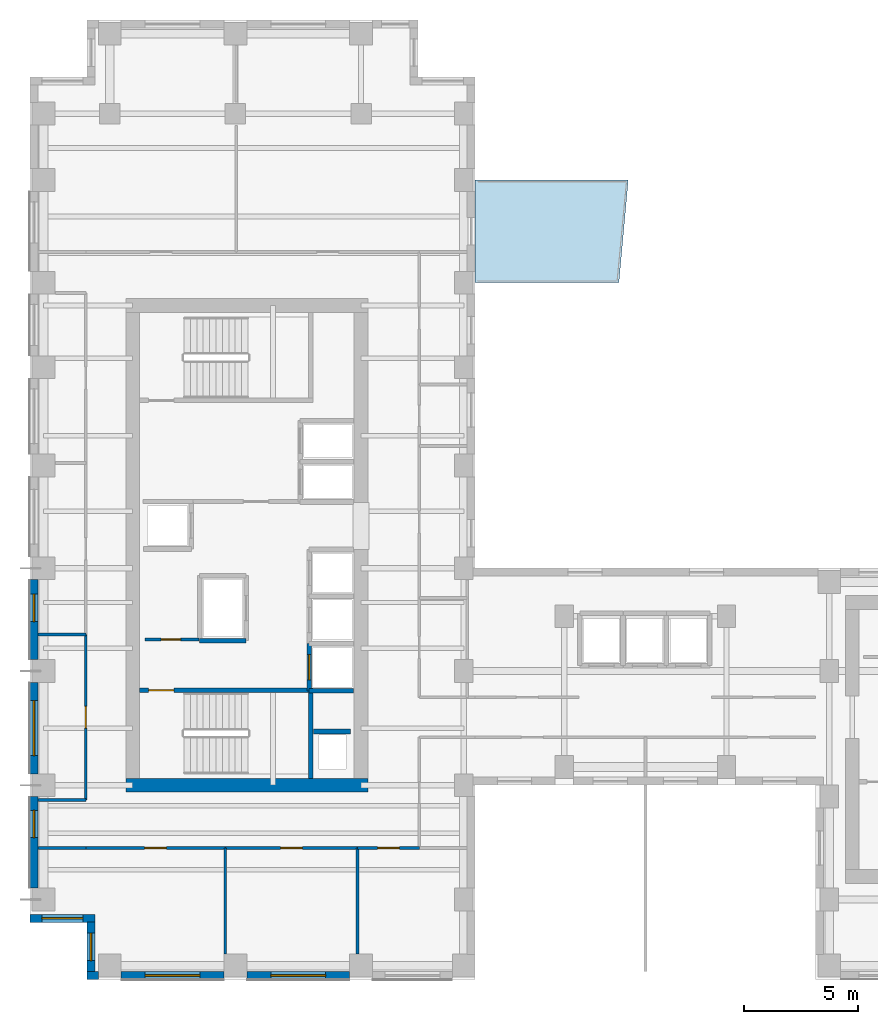
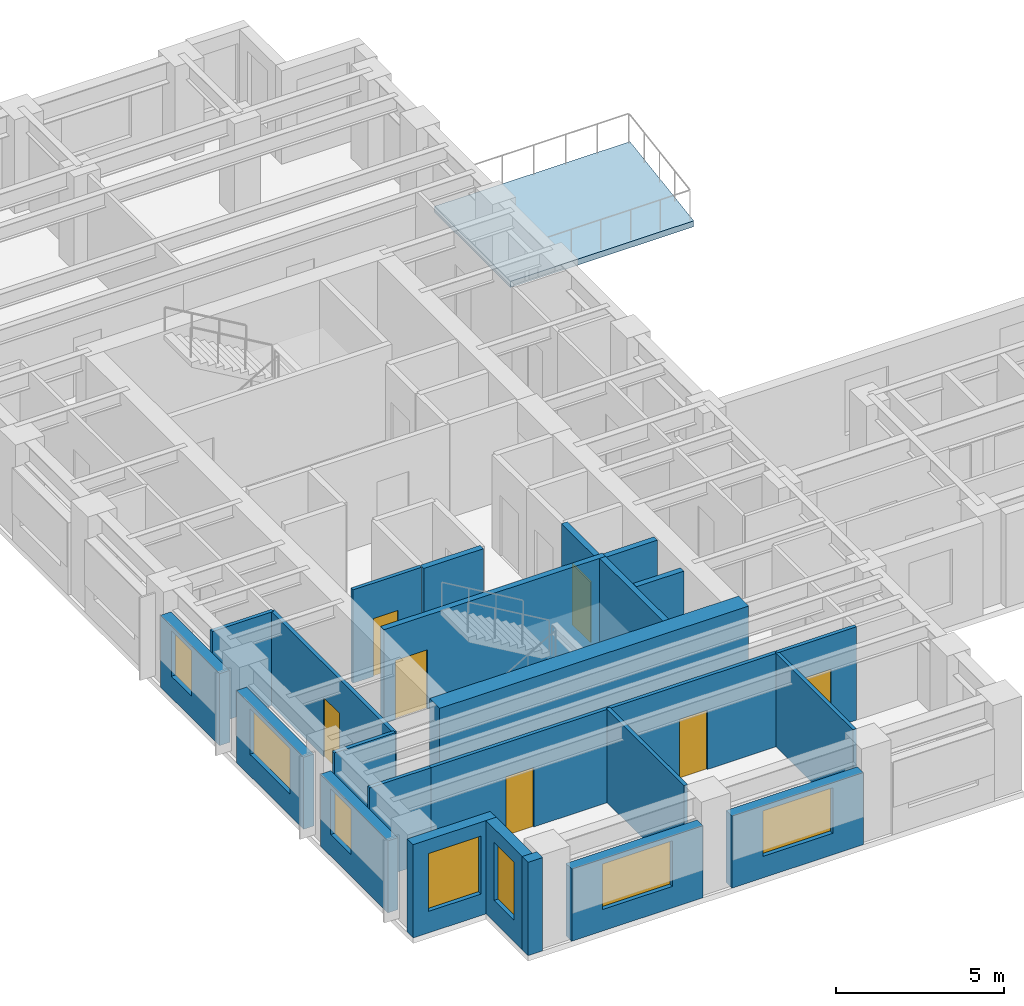
# One storey, part 3 of 10: 25 walls, 7 doors, 7 windows, 1 slab, 14 openings.
"""IFC4 building model written with IfcOpenShell, lengths in metres."""

from ifc_helpers import new_model, si_unit, direction, frame, frame_2d, origin, place, context, subcontext, project, spatial, polyline, rectangle, outline, extrude, source, transform, mapped, material, layer, layer_set, type_object, element, fill, save


model = new_model("IFC4")

# Units and contexts
model_context = context("Model", 3, precision=1e-05, world=origin(), true_north=direction((0.0, 1.0)))
body_context = subcontext(model_context, "Body", "Model", "MODEL_VIEW")
ifc_project = project(units=[si_unit("LENGTHUNIT", "METRE"), si_unit("AREAUNIT", "SQUARE_METRE"), si_unit("VOLUMEUNIT", "CUBIC_METRE"), si_unit("PLANEANGLEUNIT", "RADIAN"), si_unit("MASSUNIT", "GRAM", prefix="KILO")], contexts=[model_context])

# Site, building, storey
site_placement = place(None, origin())
site = spatial("IfcSite", under=ifc_project, at=site_placement, CompositionType="ELEMENT")
building_placement = place(site_placement, origin())
building = spatial("IfcBuilding", under=site, at=building_placement, Name="Kharzan Plaza Tower", CompositionType="ELEMENT")
storey_placement = place(building_placement, frame((0.0, 0.0, 157.5)))
storey = spatial("IfcBuildingStorey", under=building, at=storey_placement, Name="L42", CompositionType="ELEMENT", Elevation=157.5)

# Slab
ifc_material_1 = material(Name="Concrete C40/50", Category="concrete")
ifc_layer_1 = layer(ifc_material_1, 0.215087890625)
ifc_layer_set_1 = layer_set([ifc_layer_1], Name="Concrete C40/50")
slab_type = type_object("IfcSlabType", Name="SL-TRAY-215", PredefinedType="ROOF", material=ifc_layer_set_1)
slab_placement = place(storey_placement, frame((0.0, 0.0, -0.215087890625)))
element("IfcSlab", 1, at=slab_placement, inside=storey, type_object=slab_type, Name="L42 Sky Terrace Tray Slab", PredefinedType="ROOF", context=body_context, shape_type="SweptSolid", body=[
    extrude(outline(polyline([(19.5, 30.5), (25.7900390625, 30.5), (26.199951171875, 35.0), (19.5, 35.0), (19.5, 30.5)])), origin(), (0.0, 0.0, 1.0), 0.215087890625),
])

# Wall, opening, window
ifc_layer_2 = layer(ifc_material_1, 0.35009765625)
ifc_layer_set_2 = layer_set([ifc_layer_2], Name="Concrete C40/50")
wall_type_1 = type_object("IfcWallType", Name="WL-EXT-MAS-Z3", PredefinedType="SOLIDWALL", material=ifc_layer_set_2)
wall_1_placement = place(storey_placement, frame((0.175048828125, 17.501953125, 0.0), z_axis=(0.0, 0.0, 1.0), x_axis=(0.0, -1.0, 0.0)))
wall_1 = element("IfcWall", 2, at=wall_1_placement, inside=storey, type_object=wall_type_1, Name="L42 Masonry-Frame Exterior Wall 15", PredefinedType="SOLIDWALL", context=body_context, shape_type="SweptSolid", body=[
    extrude(rectangle(XDim=3.50390625, YDim=0.35009765625, at=frame_2d((1.751953125, 0.0))), origin(), (0.0, 0.0, 1.0), 2.612060546875),
])
opening_1_placement = place(wall_1_placement, frame((0.635986328125, 0.0, 0.780029296875)))
opening_1 = element("IfcOpeningElement", 3, at=opening_1_placement, cuts=wall_1, Name="Opening W3", PredefinedType="OPENING", context=body_context, shape_type="SweptSolid", body=[
    extrude(rectangle(XDim=1.199951171875, YDim=1.652099609375, at=frame_2d((0.60009765625, 0.826171875))), frame((0.0, 0.18505859375, 0.0), z_axis=(0.0, -1.0, 0.0), x_axis=(1.0, 0.0, 0.0)), (0.0, 0.0, 1.0), 0.3701171875),
])
ifc_material_2 = material(Name="Low-E Double Glazing", Category="glass")
window_type_1 = type_object("IfcWindowType", Name="WN-REC-1200x2100", PartitioningType="SINGLE_PANEL", PredefinedType="WINDOW", material=ifc_material_2)
shared_shape_1 = source(origin(), body_context, "Body", "SweptSolid", [
    extrude(rectangle(XDim=1.199951171875, YDim=1.652099609375, at=frame_2d((0.60009765625, 0.826171875))), frame((0.0, 0.030029296875, 0.0), z_axis=(0.0, -1.0, 0.0), x_axis=(1.0, 0.0, 0.0)), (0.0, 0.0, 1.0), 0.06005859375),
])
window_1_placement = place(opening_1_placement, origin())
window_1 = element("IfcWindow", 4, at=window_1_placement, inside=storey, type_object=window_type_1, Name="L42 Recessed Solar-Control Window 15-1", OverallHeight=1.652099609375, OverallWidth=1.199951171875, PartitioningType="SINGLE_PANEL", PredefinedType="WINDOW", context=body_context, shape_type="MappedRepresentation", body=[
    mapped(shared_shape_1, transform((0.0, 0.0, 0.0), x_axis=(1.0, 0.0, 0.0), y_axis=(0.0, 1.0, 0.0), z_axis=(0.0, 0.0, 1.0))),
])
fill(opening_1, window_1)

wall_2_placement = place(storey_placement, frame((0.175048828125, 13.001953125, 0.0), z_axis=(0.0, 0.0, 1.0), x_axis=(0.0, -1.0, 0.0)))
wall_2 = element("IfcWall", 5, at=wall_2_placement, inside=storey, type_object=wall_type_1, Name="L42 Masonry-Frame Exterior Wall 16", PredefinedType="SOLIDWALL", context=body_context, shape_type="SweptSolid", body=[
    extrude(rectangle(XDim=4.00390625, YDim=0.35009765625, at=frame_2d((2.001953125, 0.0))), origin(), (0.0, 0.0, 1.0), 2.612060546875),
])
opening_2_placement = place(wall_2_placement, frame((0.802001953125, 0.0, 0.780029296875)))
opening_2 = element("IfcOpeningElement", 6, at=opening_2_placement, cuts=wall_2, Name="Opening W2", PredefinedType="OPENING", context=body_context, shape_type="SweptSolid", body=[
    extrude(rectangle(XDim=2.39990234375, YDim=1.652099609375, at=frame_2d((1.199951171875, 0.826171875))), frame((0.0, 0.18505859375, 0.0), z_axis=(0.0, -1.0, 0.0), x_axis=(1.0, 0.0, 0.0)), (0.0, 0.0, 1.0), 0.3701171875),
])
window_type_2 = type_object("IfcWindowType", Name="WN-REC-2400x2100", PartitioningType="SINGLE_PANEL", PredefinedType="WINDOW", material=ifc_material_2)
shared_shape_2 = source(origin(), body_context, "Body", "SweptSolid", [
    extrude(rectangle(XDim=2.39990234375, YDim=1.652099609375, at=frame_2d((1.199951171875, 0.826171875))), frame((0.0, 0.030029296875, 0.0), z_axis=(0.0, -1.0, 0.0), x_axis=(1.0, 0.0, 0.0)), (0.0, 0.0, 1.0), 0.06005859375),
])
window_2_placement = place(opening_2_placement, origin())
window_2 = element("IfcWindow", 7, at=window_2_placement, inside=storey, type_object=window_type_2, Name="L42 Wide Recessed Solar-Control Window 16-1", OverallHeight=1.652099609375, OverallWidth=2.39990234375, PartitioningType="SINGLE_PANEL", PredefinedType="WINDOW", context=body_context, shape_type="MappedRepresentation", body=[
    mapped(shared_shape_2, transform((0.0, 0.0, 0.0), x_axis=(1.0, 0.0, 0.0), y_axis=(0.0, 1.0, 0.0), z_axis=(0.0, 0.0, 1.0))),
])
fill(opening_2, window_2)

wall_3_placement = place(storey_placement, frame((0.175048828125, 8.001953125, 0.0), z_axis=(0.0, 0.0, 1.0), x_axis=(0.0, -1.0, 0.0)))
wall_3 = element("IfcWall", 8, at=wall_3_placement, inside=storey, type_object=wall_type_1, Name="L42 Masonry-Frame Exterior Wall 17", PredefinedType="SOLIDWALL", context=body_context, shape_type="SweptSolid", body=[
    extrude(rectangle(XDim=4.00390625, YDim=0.35009765625, at=frame_2d((2.001953125, 0.0))), origin(), (0.0, 0.0, 1.0), 2.612060546875),
])
opening_3_placement = place(wall_3_placement, frame((0.60205078125, 0.0, 0.780029296875)))
opening_3 = element("IfcOpeningElement", 9, at=opening_3_placement, cuts=wall_3, Name="Opening W3", PredefinedType="OPENING", context=body_context, shape_type="SweptSolid", body=[
    extrude(rectangle(XDim=1.199951171875, YDim=1.652099609375, at=frame_2d((0.60009765625, 0.826171875))), frame((0.0, 0.18505859375, 0.0), z_axis=(0.0, -1.0, 0.0), x_axis=(1.0, 0.0, 0.0)), (0.0, 0.0, 1.0), 0.3701171875),
])
window_3_placement = place(opening_3_placement, origin())
window_3 = element("IfcWindow", 10, at=window_3_placement, inside=storey, type_object=window_type_1, Name="L42 Recessed Solar-Control Window 17-1", OverallHeight=1.652099609375, OverallWidth=1.199951171875, PartitioningType="SINGLE_PANEL", PredefinedType="WINDOW", context=body_context, shape_type="MappedRepresentation", body=[
    mapped(shared_shape_1, transform((0.0, 0.0, 0.0), x_axis=(1.0, 0.0, 0.0), y_axis=(0.0, 1.0, 0.0), z_axis=(0.0, 0.0, 1.0))),
])
fill(opening_3, window_3)

wall_4_placement = place(storey_placement, frame((0.0, 2.675048828125, 0.0), z_axis=(0.0, 0.0, 1.0), x_axis=(1.0, 0.0, 0.0)))
wall_4 = element("IfcWall", 11, at=wall_4_placement, inside=storey, type_object=wall_type_1, Name="L42 Masonry-Frame Exterior Wall 18", PredefinedType="SOLIDWALL", context=body_context, shape_type="SweptSolid", body=[
    extrude(rectangle(XDim=2.85009765625, YDim=0.35009765625, at=frame_2d((1.425048828125, 0.0))), origin(), (0.0, 0.0, 1.0), 3.385009765625),
])
opening_4_placement = place(wall_4_placement, frame((0.52490234375, 0.0, 0.780029296875)))
opening_4 = element("IfcOpeningElement", 12, at=opening_4_placement, cuts=wall_4, Name="Opening W1", PredefinedType="OPENING", context=body_context, shape_type="SweptSolid", body=[
    extrude(rectangle(XDim=1.800048828125, YDim=2.10009765625, at=frame_2d((0.89990234375, 1.050048828125))), frame((0.0, 0.18505859375, 0.0), z_axis=(0.0, -1.0, 0.0), x_axis=(1.0, 0.0, 0.0)), (0.0, 0.0, 1.0), 0.3701171875),
])
window_type_3 = type_object("IfcWindowType", Name="WN-REC-1800x2100", PartitioningType="SINGLE_PANEL", PredefinedType="WINDOW", material=ifc_material_2)
shared_shape_3 = source(origin(), body_context, "Body", "SweptSolid", [
    extrude(rectangle(XDim=1.800048828125, YDim=2.10009765625, at=frame_2d((0.89990234375, 1.050048828125))), frame((0.0, 0.030029296875, 0.0), z_axis=(0.0, -1.0, 0.0), x_axis=(1.0, 0.0, 0.0)), (0.0, 0.0, 1.0), 0.06005859375),
])
window_4_placement = place(opening_4_placement, origin())
window_4 = element("IfcWindow", 13, at=window_4_placement, inside=storey, type_object=window_type_3, Name="L42 Recessed Solar-Control Window 18-1", OverallHeight=2.10009765625, OverallWidth=1.800048828125, PartitioningType="SINGLE_PANEL", PredefinedType="WINDOW", context=body_context, shape_type="MappedRepresentation", body=[
    mapped(shared_shape_3, transform((0.0, 0.0, 0.0), x_axis=(1.0, 0.0, 0.0), y_axis=(0.0, 1.0, 0.0), z_axis=(0.0, 0.0, 1.0))),
])
fill(opening_4, window_4)

wall_5_placement = place(storey_placement, frame((2.675048828125, 2.501953125, 0.0), z_axis=(0.0, 0.0, 1.0), x_axis=(0.0, -1.0, 0.0)))
wall_5 = element("IfcWall", 14, at=wall_5_placement, inside=storey, type_object=wall_type_1, Name="L42 Masonry-Frame Exterior Wall 19", PredefinedType="SOLIDWALL", context=body_context, shape_type="SweptSolid", body=[
    extrude(rectangle(XDim=2.154052734375, YDim=0.35009765625, at=frame_2d((1.0771484375, 0.0))), origin(), (0.0, 0.0, 1.0), 3.385009765625),
])
opening_5_placement = place(wall_5_placement, frame((0.47705078125, 0.0, 0.780029296875)))
opening_5 = element("IfcOpeningElement", 15, at=opening_5_placement, cuts=wall_5, Name="Opening W3", PredefinedType="OPENING", context=body_context, shape_type="SweptSolid", body=[
    extrude(rectangle(XDim=1.199951171875, YDim=2.10009765625, at=frame_2d((0.60009765625, 1.050048828125))), frame((0.0, 0.18505859375, 0.0), z_axis=(0.0, -1.0, 0.0), x_axis=(1.0, 0.0, 0.0)), (0.0, 0.0, 1.0), 0.3701171875),
])
shared_shape_4 = source(origin(), body_context, "Body", "SweptSolid", [
    extrude(rectangle(XDim=1.199951171875, YDim=2.10009765625, at=frame_2d((0.60009765625, 1.050048828125))), frame((0.0, 0.030029296875, 0.0), z_axis=(0.0, -1.0, 0.0), x_axis=(1.0, 0.0, 0.0)), (0.0, 0.0, 1.0), 0.06005859375),
])
window_5_placement = place(opening_5_placement, origin())
window_5 = element("IfcWindow", 16, at=window_5_placement, inside=storey, type_object=window_type_1, Name="L42 Recessed Solar-Control Window 19-1", OverallHeight=2.10009765625, OverallWidth=1.199951171875, PartitioningType="SINGLE_PANEL", PredefinedType="WINDOW", context=body_context, shape_type="MappedRepresentation", body=[
    mapped(shared_shape_4, transform((0.0, 0.0, 0.0), x_axis=(1.0, 0.0, 0.0), y_axis=(0.0, 1.0, 0.0), z_axis=(0.0, 0.0, 1.0))),
])
fill(opening_5, window_5)

wall_6_placement = place(storey_placement, frame((3.998046875, 0.175048828125, 0.0), z_axis=(0.0, 0.0, 1.0), x_axis=(1.0, 0.0, 0.0)))
wall_6 = element("IfcWall", 17, at=wall_6_placement, inside=storey, type_object=wall_type_1, Name="L42 Masonry-Frame Exterior Wall 21", PredefinedType="SOLIDWALL", context=body_context, shape_type="SweptSolid", body=[
    extrude(rectangle(XDim=4.50390625, YDim=0.35009765625, at=frame_2d((2.251953125, 0.0))), origin(), (0.0, 0.0, 1.0), 2.612060546875),
])
opening_6_placement = place(wall_6_placement, frame((1.052001953125, 0.0, 0.780029296875)))
opening_6 = element("IfcOpeningElement", 18, at=opening_6_placement, cuts=wall_6, Name="Opening W2", PredefinedType="OPENING", context=body_context, shape_type="SweptSolid", body=[
    extrude(rectangle(XDim=2.39990234375, YDim=1.652099609375, at=frame_2d((1.199951171875, 0.826171875))), frame((0.0, 0.18505859375, 0.0), z_axis=(0.0, -1.0, 0.0), x_axis=(1.0, 0.0, 0.0)), (0.0, 0.0, 1.0), 0.3701171875),
])
window_6_placement = place(opening_6_placement, origin())
window_6 = element("IfcWindow", 19, at=window_6_placement, inside=storey, type_object=window_type_2, Name="L42 Wide Recessed Solar-Control Window 21-1", OverallHeight=1.652099609375, OverallWidth=2.39990234375, PartitioningType="SINGLE_PANEL", PredefinedType="WINDOW", context=body_context, shape_type="MappedRepresentation", body=[
    mapped(shared_shape_2, transform((0.0, 0.0, 0.0), x_axis=(1.0, 0.0, 0.0), y_axis=(0.0, 1.0, 0.0), z_axis=(0.0, 0.0, 1.0))),
])
fill(opening_6, window_6)

wall_7_placement = place(storey_placement, frame((9.498046875, 0.175048828125, 0.0), z_axis=(0.0, 0.0, 1.0), x_axis=(1.0, 0.0, 0.0)))
wall_7 = element("IfcWall", 20, at=wall_7_placement, inside=storey, type_object=wall_type_1, Name="L42 Masonry-Frame Exterior Wall 22", PredefinedType="SOLIDWALL", context=body_context, shape_type="SweptSolid", body=[
    extrude(rectangle(XDim=4.50390625, YDim=0.35009765625, at=frame_2d((2.251953125, 0.0))), origin(), (0.0, 0.0, 1.0), 2.612060546875),
])
opening_7_placement = place(wall_7_placement, frame((1.052001953125, 0.0, 0.780029296875)))
opening_7 = element("IfcOpeningElement", 21, at=opening_7_placement, cuts=wall_7, Name="Opening W2", PredefinedType="OPENING", context=body_context, shape_type="SweptSolid", body=[
    extrude(rectangle(XDim=2.39990234375, YDim=1.652099609375, at=frame_2d((1.199951171875, 0.826171875))), frame((0.0, 0.18505859375, 0.0), z_axis=(0.0, -1.0, 0.0), x_axis=(1.0, 0.0, 0.0)), (0.0, 0.0, 1.0), 0.3701171875),
])
window_7_placement = place(opening_7_placement, origin())
window_7 = element("IfcWindow", 22, at=window_7_placement, inside=storey, type_object=window_type_2, Name="L42 Wide Recessed Solar-Control Window 22-1", OverallHeight=1.652099609375, OverallWidth=2.39990234375, PartitioningType="SINGLE_PANEL", PredefinedType="WINDOW", context=body_context, shape_type="MappedRepresentation", body=[
    mapped(shared_shape_2, transform((0.0, 0.0, 0.0), x_axis=(1.0, 0.0, 0.0), y_axis=(0.0, 1.0, 0.0), z_axis=(0.0, 0.0, 1.0))),
])
fill(opening_7, window_7)

# Wall, opening, door
ifc_material_3 = material(Name="Fire-Rated Gypsum Board Partition", Category="gypsum")
ifc_layer_3 = layer(ifc_material_3, 0.125)
ifc_layer_set_3 = layer_set([ifc_layer_3], Name="Fire-Rated Gypsum Board Partition")
wall_type_2 = type_object("IfcWallType", Name="WL-INT-PART-125", PredefinedType="PARTITIONING", material=ifc_layer_set_3)
wall_8_placement = place(storey_placement, frame((5.050048828125, 14.8798828125, 0.0), z_axis=(0.0, 0.0, 1.0), x_axis=(1.0, 0.0, 0.0)))
wall_8 = element("IfcWall", 23, at=wall_8_placement, inside=storey, type_object=wall_type_2, Name="L42 Interior Partition CA-K0", PredefinedType="PARTITIONING", context=body_context, shape_type="SweptSolid", body=[
    extrude(rectangle(XDim=2.349853515625, YDim=0.125, at=frame_2d((1.1748046875, 0.0))), origin(), (0.0, 0.0, 1.0), 3.385009765625),
])
opening_8_placement = place(wall_8_placement, frame((0.699951171875, 0.0, 0.0)))
opening_8 = element("IfcOpeningElement", 24, at=opening_8_placement, cuts=wall_8, Name="Opening RD1", PredefinedType="OPENING", context=body_context, shape_type="SweptSolid", body=[
    extrude(rectangle(XDim=0.85009765625, YDim=2.10009765625, at=frame_2d((0.425048828125, 1.050048828125))), frame((0.0, 0.072509765625, 0.0), z_axis=(0.0, -1.0, 0.0), x_axis=(1.0, 0.0, 0.0)), (0.0, 0.0, 1.0), 0.14501953125),
])
ifc_material_4 = material(Name="Powder-Coated Fire-Rated Steel", Category="steel")
door_type_1 = type_object("IfcDoorType", Name="DR-RISER-900", OperationType="NOTDEFINED", PredefinedType="DOOR", material=ifc_material_4)
shared_shape_5 = source(origin(), body_context, "Body", "SweptSolid", [
    extrude(rectangle(XDim=0.85009765625, YDim=2.10009765625, at=frame_2d((0.425048828125, 1.050048828125))), frame((0.0, 0.02490234375, 0.0), z_axis=(0.0, -1.0, 0.0), x_axis=(1.0, 0.0, 0.0)), (0.0, 0.0, 1.0), 0.050048828125),
])
door_1_placement = place(opening_8_placement, origin())
door_1 = element("IfcDoor", 25, at=door_1_placement, inside=storey, type_object=door_type_1, Name="L42 Cleaners Store Door", OperationType="SINGLE_SWING_LEFT", OverallHeight=2.10009765625, OverallWidth=0.85009765625, PredefinedType="DOOR", context=body_context, shape_type="MappedRepresentation", body=[
    mapped(shared_shape_5, transform((0.0, 0.0, 0.0), x_axis=(1.0, 0.0, 0.0), y_axis=(0.0, 1.0, 0.0), z_axis=(0.0, 0.0, 1.0))),
])
fill(opening_8, door_1)

wall_9_placement = place(storey_placement, frame((2.449951171875, 5.75, 0.0), z_axis=(0.0, 0.0, 1.0), x_axis=(1.0, 0.0, 0.0)))
wall_9 = element("IfcWall", 26, at=wall_9_placement, inside=storey, type_object=wall_type_2, Name="L42 Interior Partition SH-SS-1", PredefinedType="PARTITIONING", context=body_context, shape_type="SweptSolid", body=[
    extrude(rectangle(XDim=6.108154296875, YDim=0.125, at=frame_2d((3.05419921875, 0.0))), origin(), (0.0, 0.0, 1.0), 3.385009765625),
])
opening_9_placement = place(wall_9_placement, frame((2.5791015625, 0.0, 0.0)))
opening_9 = element("IfcOpeningElement", 27, at=opening_9_placement, cuts=wall_9, Name="Opening OD1", PredefinedType="OPENING", context=body_context, shape_type="SweptSolid", body=[
    extrude(rectangle(XDim=0.949951171875, YDim=2.14990234375, at=frame_2d((0.47509765625, 1.074951171875))), frame((0.0, 0.072509765625, 0.0), z_axis=(0.0, -1.0, 0.0), x_axis=(1.0, 0.0, 0.0)), (0.0, 0.0, 1.0), 0.14501953125),
])
ifc_material_5 = material(Name="Acoustic Solid-Core Stained Oak", Category="timber")
door_type_2 = type_object("IfcDoorType", Name="DR-OFF-SINGLE", OperationType="NOTDEFINED", PredefinedType="DOOR", material=ifc_material_5)
shared_shape_6 = source(origin(), body_context, "Body", "SweptSolid", [
    extrude(rectangle(XDim=0.949951171875, YDim=2.14990234375, at=frame_2d((0.47509765625, 1.074951171875))), frame((0.0, 0.02490234375, 0.0), z_axis=(0.0, -1.0, 0.0), x_axis=(1.0, 0.0, 0.0)), (0.0, 0.0, 1.0), 0.050048828125),
])
door_2_placement = place(opening_9_placement, origin())
door_2 = element("IfcDoor", 28, at=door_2_placement, inside=storey, type_object=door_type_2, Name="L42 Safety Briefing Room Door", OperationType="SINGLE_SWING_LEFT", OverallHeight=2.14990234375, OverallWidth=0.949951171875, PredefinedType="DOOR", context=body_context, shape_type="MappedRepresentation", body=[
    mapped(shared_shape_6, transform((0.0, 0.0, 0.0), x_axis=(1.0, 0.0, 0.0), y_axis=(0.0, 1.0, 0.0), z_axis=(0.0, 0.0, 1.0))),
])
fill(opening_9, door_2)

wall_10_placement = place(storey_placement, frame((8.55810546875, 5.75, 0.0), z_axis=(0.0, 0.0, 1.0), x_axis=(1.0, 0.0, 0.0)))
wall_10 = element("IfcWall", 29, at=wall_10_placement, inside=storey, type_object=wall_type_2, Name="L42 Interior Partition SH-SS-2", PredefinedType="PARTITIONING", context=body_context, shape_type="SweptSolid", body=[
    extrude(rectangle(XDim=5.7919921875, YDim=0.125, at=frame_2d((2.89599609375, 0.0))), origin(), (0.0, 0.0, 1.0), 3.385009765625),
])
opening_10_placement = place(wall_10_placement, frame((2.4208984375, 0.0, 0.0)))
opening_10 = element("IfcOpeningElement", 30, at=opening_10_placement, cuts=wall_10, Name="Opening OD1", PredefinedType="OPENING", context=body_context, shape_type="SweptSolid", body=[
    extrude(rectangle(XDim=0.949951171875, YDim=2.14990234375, at=frame_2d((0.47509765625, 1.074951171875))), frame((0.0, 0.072509765625, 0.0), z_axis=(0.0, -1.0, 0.0), x_axis=(1.0, 0.0, 0.0)), (0.0, 0.0, 1.0), 0.14501953125),
])
door_3_placement = place(opening_10_placement, origin())
door_3 = element("IfcDoor", 31, at=door_3_placement, inside=storey, type_object=door_type_2, Name="L42 Staff Refreshment Pantry Door", OperationType="SINGLE_SWING_RIGHT", OverallHeight=2.14990234375, OverallWidth=0.949951171875, PredefinedType="DOOR", context=body_context, shape_type="MappedRepresentation", body=[
    mapped(shared_shape_6, transform((0.0, 0.0, 0.0), x_axis=(1.0, 0.0, 0.0), y_axis=(0.0, 1.0, 0.0), z_axis=(0.0, 0.0, 1.0))),
])
fill(opening_10, door_3)

wall_11_placement = place(storey_placement, frame((14.35009765625, 5.75, 0.0), z_axis=(0.0, 0.0, 1.0), x_axis=(1.0, 0.0, 0.0)))
wall_11 = element("IfcWall", 32, at=wall_11_placement, inside=storey, type_object=wall_type_2, Name="L42 Interior Partition SH-SS-3", PredefinedType="PARTITIONING", context=body_context, shape_type="SweptSolid", body=[
    extrude(rectangle(XDim=2.699951171875, YDim=0.125, at=frame_2d((1.35009765625, 0.0))), origin(), (0.0, 0.0, 1.0), 3.385009765625),
])
opening_11_placement = place(wall_11_placement, frame((0.875, 0.0, 0.0)))
opening_11 = element("IfcOpeningElement", 33, at=opening_11_placement, cuts=wall_11, Name="Opening OD1", PredefinedType="OPENING", context=body_context, shape_type="SweptSolid", body=[
    extrude(rectangle(XDim=0.949951171875, YDim=2.14990234375, at=frame_2d((0.47509765625, 1.074951171875))), frame((0.0, 0.072509765625, 0.0), z_axis=(0.0, -1.0, 0.0), x_axis=(1.0, 0.0, 0.0)), (0.0, 0.0, 1.0), 0.14501953125),
])
door_4_placement = place(opening_11_placement, origin())
door_4 = element("IfcDoor", 34, at=door_4_placement, inside=storey, type_object=door_type_2, Name="L42 Staff Refreshment Pantry Door", OperationType="SINGLE_SWING_LEFT", OverallHeight=2.14990234375, OverallWidth=0.949951171875, PredefinedType="DOOR", context=body_context, shape_type="MappedRepresentation", body=[
    mapped(shared_shape_6, transform((0.0, 0.0, 0.0), x_axis=(1.0, 0.0, 0.0), y_axis=(0.0, 1.0, 0.0), z_axis=(0.0, 0.0, 1.0))),
])
fill(opening_11, door_4)

wall_12_placement = place(storey_placement, frame((2.449951171875, 7.85009765625, 0.0), z_axis=(0.0, 0.0, 1.0), x_axis=(0.0, 1.0, 0.0)))
wall_12 = element("IfcWall", 35, at=wall_12_placement, inside=storey, type_object=wall_type_2, Name="L42 Interior Partition SH-WW-1", PredefinedType="PARTITIONING", context=body_context, shape_type="SweptSolid", body=[
    extrude(rectangle(XDim=7.25, YDim=0.125, at=frame_2d((3.625, 0.0))), origin(), (0.0, 0.0, 1.0), 3.385009765625),
])
opening_12_placement = place(wall_12_placement, frame((3.14990234375, 0.0, 0.0)))
opening_12 = element("IfcOpeningElement", 36, at=opening_12_placement, cuts=wall_12, Name="Opening OD1", PredefinedType="OPENING", context=body_context, shape_type="SweptSolid", body=[
    extrude(rectangle(XDim=0.949951171875, YDim=2.14990234375, at=frame_2d((0.47509765625, 1.074951171875))), frame((0.0, 0.072509765625, 0.0), z_axis=(0.0, -1.0, 0.0), x_axis=(1.0, 0.0, 0.0)), (0.0, 0.0, 1.0), 0.14501953125),
])
door_5_placement = place(opening_12_placement, origin())
door_5 = element("IfcDoor", 37, at=door_5_placement, inside=storey, type_object=door_type_2, Name="L42 Operations Control Office Door", OperationType="SINGLE_SWING_RIGHT", OverallHeight=2.14990234375, OverallWidth=0.949951171875, PredefinedType="DOOR", context=body_context, shape_type="MappedRepresentation", body=[
    mapped(shared_shape_6, transform((0.0, 0.0, 0.0), x_axis=(1.0, 0.0, 0.0), y_axis=(0.0, 1.0, 0.0), z_axis=(0.0, 0.0, 1.0))),
])
fill(opening_12, door_5)

ifc_layer_4 = layer(ifc_material_1, 0.199951171875)
ifc_layer_set_4 = layer_set([ifc_layer_4], Name="Concrete C40/50")
wall_type_3 = type_object("IfcWallType", Name="WL-INT-SHAFT-200", PredefinedType="PARTITIONING", material=ifc_layer_set_4)
wall_13_placement = place(storey_placement, frame((12.22998046875, 12.6298828125, 0.0), z_axis=(0.0, 0.0, 1.0), x_axis=(0.0, 1.0, 0.0)))
wall_13 = element("IfcWall", 38, at=wall_13_placement, inside=storey, type_object=wall_type_3, Name="L42 Interior Partition SHF-PL-H1-W", PredefinedType="PARTITIONING", context=body_context, shape_type="SweptSolid", body=[
    extrude(rectangle(XDim=2.070068359375, YDim=0.199951171875, at=frame_2d((1.03515625, 0.0))), origin(), (0.0, 0.0, 1.0), 3.385009765625),
])
opening_13_placement = place(wall_13_placement, frame((0.485107421875, 0.0, 0.0)))
opening_13 = element("IfcOpeningElement", 39, at=opening_13_placement, cuts=wall_13, Name="Opening LD", PredefinedType="OPENING", context=body_context, shape_type="SweptSolid", body=[
    extrude(rectangle(XDim=1.10009765625, YDim=2.199951171875, at=frame_2d((0.550048828125, 1.10009765625))), frame((0.0, 0.10986328125, 0.0), z_axis=(0.0, -1.0, 0.0), x_axis=(1.0, 0.0, 0.0)), (0.0, 0.0, 1.0), 0.219970703125),
])
ifc_material_6 = material(Name="Brushed Stainless Steel", Category="steel")
door_type_3 = type_object("IfcDoorType", Name="DR-LIFT-SLIDE", OperationType="SLIDING_TO_LEFT", PredefinedType="DOOR", material=ifc_material_6)
shared_shape_7 = source(origin(), body_context, "Body", "SweptSolid", [
    extrude(rectangle(XDim=1.10009765625, YDim=2.199951171875, at=frame_2d((0.550048828125, 1.10009765625))), frame((0.0, 0.02490234375, 0.0), z_axis=(0.0, -1.0, 0.0), x_axis=(1.0, 0.0, 0.0)), (0.0, 0.0, 1.0), 0.050048828125),
])
door_6_placement = place(opening_13_placement, origin())
door_6 = element("IfcDoor", 40, at=door_6_placement, inside=storey, type_object=door_type_3, Name="L42 High-Rise Passenger Lift PL-H1 Sliding Landing Door", OperationType="SLIDING_TO_LEFT", OverallHeight=2.199951171875, OverallWidth=1.10009765625, PredefinedType="DOOR", context=body_context, shape_type="MappedRepresentation", body=[
    mapped(shared_shape_7, transform((0.0, 0.0, 0.0), x_axis=(1.0, 0.0, 0.0), y_axis=(0.0, 1.0, 0.0), z_axis=(0.0, 0.0, 1.0))),
])
fill(opening_13, door_6)

ifc_material_7 = material(Name="Concrete C50/60", Category="concrete")
ifc_layer_5 = layer(ifc_material_7, 0.199951171875)
ifc_layer_set_5 = layer_set([ifc_layer_5], Name="Concrete C50/60")
wall_type_4 = type_object("IfcWallType", Name="WL-SHAFT-RC200", PredefinedType="SHEAR", material=ifc_layer_set_5)
wall_14_placement = place(storey_placement, frame((4.802001953125, 12.655029296875, 0.0), z_axis=(0.0, 0.0, 1.0), x_axis=(1.0, 0.0, 0.0)))
wall_14 = element("IfcWall", 41, at=wall_14_placement, inside=storey, type_object=wall_type_4, Name="L42 Stair ST-1 North RC Shaft Wall", PredefinedType="SHEAR", context=body_context, shape_type="SweptSolid", body=[
    extrude(rectangle(XDim=7.60302734375, YDim=0.199951171875, at=frame_2d((3.801513671875, 0.0))), origin(), (0.0, 0.0, 1.0), 3.39990234375),
])
opening_14_placement = place(wall_14_placement, frame((0.39990234375, 0.0, 0.0)))
opening_14 = element("IfcOpeningElement", 42, at=opening_14_placement, cuts=wall_14, Name="Opening SD1", PredefinedType="OPENING", context=body_context, shape_type="SweptSolid", body=[
    extrude(rectangle(XDim=1.10009765625, YDim=2.14990234375, at=frame_2d((0.550048828125, 1.074951171875))), frame((0.0, 0.10986328125, 0.0), z_axis=(0.0, -1.0, 0.0), x_axis=(1.0, 0.0, 0.0)), (0.0, 0.0, 1.0), 0.219970703125),
])
ifc_material_8 = material(Name="Fire-Rated Hollow Galvanized Steel", Category="steel")
door_type_4 = type_object("IfcDoorType", Name="DR-STAIR-FD120", OperationType="NOTDEFINED", PredefinedType="DOOR", material=ifc_material_8)
shared_shape_8 = source(origin(), body_context, "Body", "SweptSolid", [
    extrude(rectangle(XDim=1.10009765625, YDim=2.14990234375, at=frame_2d((0.550048828125, 1.074951171875))), frame((0.0, 0.02490234375, 0.0), z_axis=(0.0, -1.0, 0.0), x_axis=(1.0, 0.0, 0.0)), (0.0, 0.0, 1.0), 0.050048828125),
])
door_7_placement = place(opening_14_placement, origin())
door_7 = element("IfcDoor", 43, at=door_7_placement, inside=storey, type_object=door_type_4, Name="L42 Stair ST-1 Fire Exit Door", OperationType="SINGLE_SWING_RIGHT", OverallHeight=2.14990234375, OverallWidth=1.10009765625, PredefinedType="DOOR", context=body_context, shape_type="MappedRepresentation", body=[
    mapped(shared_shape_8, transform((0.0, 0.0, 0.0), x_axis=(1.0, 0.0, 0.0), y_axis=(0.0, 1.0, 0.0), z_axis=(0.0, 0.0, 1.0))),
])
fill(opening_14, door_7)

# Walls
ifc_layer_6 = layer(ifc_material_7, 0.60009765625)
ifc_layer_set_6 = layer_set([ifc_layer_6], Name="Concrete C50/60")
wall_type_5 = type_object("IfcWallType", Name="WL-CORE-600", PredefinedType="SHEAR", material=ifc_layer_set_6)
shared_shape_9 = source(origin(), body_context, "Body", "SweptSolid", [
    extrude(rectangle(XDim=10.60009765625, YDim=0.60009765625, at=frame_2d((5.300048828125, 0.0))), origin(), (0.0, 0.0, 1.0), 3.39990234375),
])
wall_15_placement = place(storey_placement, frame((4.199951171875, 8.5, 0.0), z_axis=(0.0, 0.0, 1.0), x_axis=(1.0, 0.0, 0.0)))
element("IfcWall", 44, at=wall_15_placement, inside=storey, type_object=wall_type_5, Name="L42 CORE-A south RC shear wall", PredefinedType="SHEAR", context=body_context, shape_type="MappedRepresentation", body=[
    mapped(shared_shape_9, transform((0.0, 0.0, 0.0), x_axis=(1.0, 0.0, 0.0), y_axis=(0.0, 1.0, 0.0), z_axis=(0.0, 0.0, 1.0))),
])
shared_shape_10 = source(origin(), body_context, "Body", "SweptSolid", [
    extrude(rectangle(XDim=0.501953125, YDim=0.35009765625, at=frame_2d((0.2509765625, 0.0))), origin(), (0.0, 0.0, 1.0), 3.385009765625),
])
wall_16_placement = place(storey_placement, frame((2.5, 0.175048828125, 0.0), z_axis=(0.0, 0.0, 1.0), x_axis=(1.0, 0.0, 0.0)))
element("IfcWall", 45, at=wall_16_placement, inside=storey, type_object=wall_type_1, Name="L42 Masonry-Frame Exterior Wall 20", PredefinedType="SOLIDWALL", context=body_context, shape_type="MappedRepresentation", body=[
    mapped(shared_shape_10, transform((0.0, 0.0, 0.0), x_axis=(1.0, 0.0, 0.0), y_axis=(0.0, 1.0, 0.0), z_axis=(0.0, 0.0, 1.0))),
])
shared_shape_11 = source(origin(), body_context, "Body", "SweptSolid", [
    extrude(rectangle(XDim=2.097900390625, YDim=0.125, at=frame_2d((1.048828125, 0.0))), origin(), (0.0, 0.0, 1.0), 3.385009765625),
])
for number, where, z_axis, x_axis, name in (
    (46, (0.35205078125, 7.85009765625, 0.0), (0.0, 0.0, 1.0), (1.0, 0.0, 0.0), "L42 Interior Partition SH-RWS0"),
    (47, (0.35205078125, 5.75, 0.0), (0.0, 0.0, 1.0), (1.0, 0.0, 0.0), "L42 Interior Partition SH-SS-EXT"),
    (48, (0.35205078125, 15.10009765625, 0.0), (0.0, 0.0, 1.0), (1.0, 0.0, 0.0), "L42 Interior Partition SH-WH-1"),
):
    element("IfcWall", number, at=place(storey_placement, frame(where, z_axis=z_axis, x_axis=x_axis)), inside=storey, type_object=wall_type_2, Name=name, PredefinedType="PARTITIONING", context=body_context, shape_type="MappedRepresentation", body=[
        mapped(shared_shape_11, transform((0.0, 0.0, 0.0), x_axis=(1.0, 0.0, 0.0), y_axis=(0.0, 1.0, 0.0), z_axis=(0.0, 0.0, 1.0))),
    ])
shared_shape_12 = source(origin(), body_context, "Body", "SweptSolid", [
    extrude(rectangle(XDim=1.630126953125, YDim=0.199951171875, at=frame_2d((0.81494140625, 0.0))), origin(), (0.0, 0.0, 1.0), 3.385009765625),
])
wall_17_placement = place(storey_placement, frame((12.419921875, 10.85009765625, 0.0), z_axis=(0.0, 0.0, 1.0), x_axis=(1.0, 0.0, 0.0)))
element("IfcWall", 49, at=wall_17_placement, inside=storey, type_object=wall_type_3, Name="L42 Interior Partition CA-RSRA-N", PredefinedType="PARTITIONING", context=body_context, shape_type="MappedRepresentation", body=[
    mapped(shared_shape_12, transform((0.0, 0.0, 0.0), x_axis=(1.0, 0.0, 0.0), y_axis=(0.0, 1.0, 0.0), z_axis=(0.0, 0.0, 1.0))),
])
shared_shape_13 = source(origin(), body_context, "Body", "SweptSolid", [
    extrude(rectangle(XDim=1.93994140625, YDim=0.199951171875, at=frame_2d((0.969970703125, 0.0))), origin(), (0.0, 0.0, 1.0), 3.385009765625),
])
wall_18_placement = place(storey_placement, frame((12.22998046875, 12.6298828125, 0.0), z_axis=(0.0, 0.0, 1.0), x_axis=(1.0, 0.0, 0.0)))
element("IfcWall", 50, at=wall_18_placement, inside=storey, type_object=wall_type_3, Name="L42 Interior Partition SHF-PL-H1-S", PredefinedType="PARTITIONING", context=body_context, shape_type="MappedRepresentation", body=[
    mapped(shared_shape_13, transform((0.0, 0.0, 0.0), x_axis=(1.0, 0.0, 0.0), y_axis=(0.0, 1.0, 0.0), z_axis=(0.0, 0.0, 1.0))),
])
shared_shape_14 = source(origin(), body_context, "Body", "SweptSolid", [
    extrude(rectangle(XDim=2.0400390625, YDim=0.199951171875, at=frame_2d((1.02001953125, 0.0))), origin(), (0.0, 0.0, 1.0), 3.385009765625),
])
wall_19_placement = place(storey_placement, frame((7.429931640625, 14.830078125, 0.0), z_axis=(0.0, 0.0, 1.0), x_axis=(1.0, 0.0, 0.0)))
element("IfcWall", 51, at=wall_19_placement, inside=storey, type_object=wall_type_3, Name="L42 Interior Partition SHF-SVL-1-S", PredefinedType="PARTITIONING", context=body_context, shape_type="MappedRepresentation", body=[
    mapped(shared_shape_14, transform((0.0, 0.0, 0.0), x_axis=(1.0, 0.0, 0.0), y_axis=(0.0, 1.0, 0.0), z_axis=(0.0, 0.0, 1.0))),
])
shared_shape_15 = source(origin(), body_context, "Body", "SweptSolid", [
    extrude(rectangle(XDim=3.7529296875, YDim=0.199951171875, at=frame_2d((1.87646484375, 0.0))), origin(), (0.0, 0.0, 1.0), 3.39990234375),
])
wall_20_placement = place(storey_placement, frame((12.304931640625, 8.802001953125, 0.0), z_axis=(0.0, 0.0, 1.0), x_axis=(0.0, 1.0, 0.0)))
element("IfcWall", 52, at=wall_20_placement, inside=storey, type_object=wall_type_4, Name="L42 Stair ST-1 East RC Shaft Wall", PredefinedType="SHEAR", context=body_context, shape_type="MappedRepresentation", body=[
    mapped(shared_shape_15, transform((0.0, 0.0, 0.0), x_axis=(1.0, 0.0, 0.0), y_axis=(0.0, 1.0, 0.0), z_axis=(0.0, 0.0, 1.0))),
])
shared_shape_16 = source(origin(), body_context, "Body", "SweptSolid", [
    extrude(rectangle(XDim=4.6298828125, YDim=0.125, at=frame_2d((2.31494140625, 0.0))), origin(), (0.0, 0.0, 1.0), 3.385009765625),
])
for number, where, z_axis, x_axis, name in (
    (53, (8.55810546875, 1.1201171875, 0.0), (0.0, 0.0, 1.0), (0.0, 1.0, 0.0), "L42 Interior Partition SH-SV-1"),
    (54, (14.35009765625, 1.1201171875, 0.0), (0.0, 0.0, 1.0), (0.0, 1.0, 0.0), "L42 Interior Partition SH-SV-2"),
):
    element("IfcWall", number, at=place(storey_placement, frame(where, z_axis=z_axis, x_axis=x_axis)), inside=storey, type_object=wall_type_2, Name=name, PredefinedType="PARTITIONING", context=body_context, shape_type="MappedRepresentation", body=[
        mapped(shared_shape_16, transform((0.0, 0.0, 0.0), x_axis=(1.0, 0.0, 0.0), y_axis=(0.0, 1.0, 0.0), z_axis=(0.0, 0.0, 1.0))),
    ])

save(model, "model.ifc")
